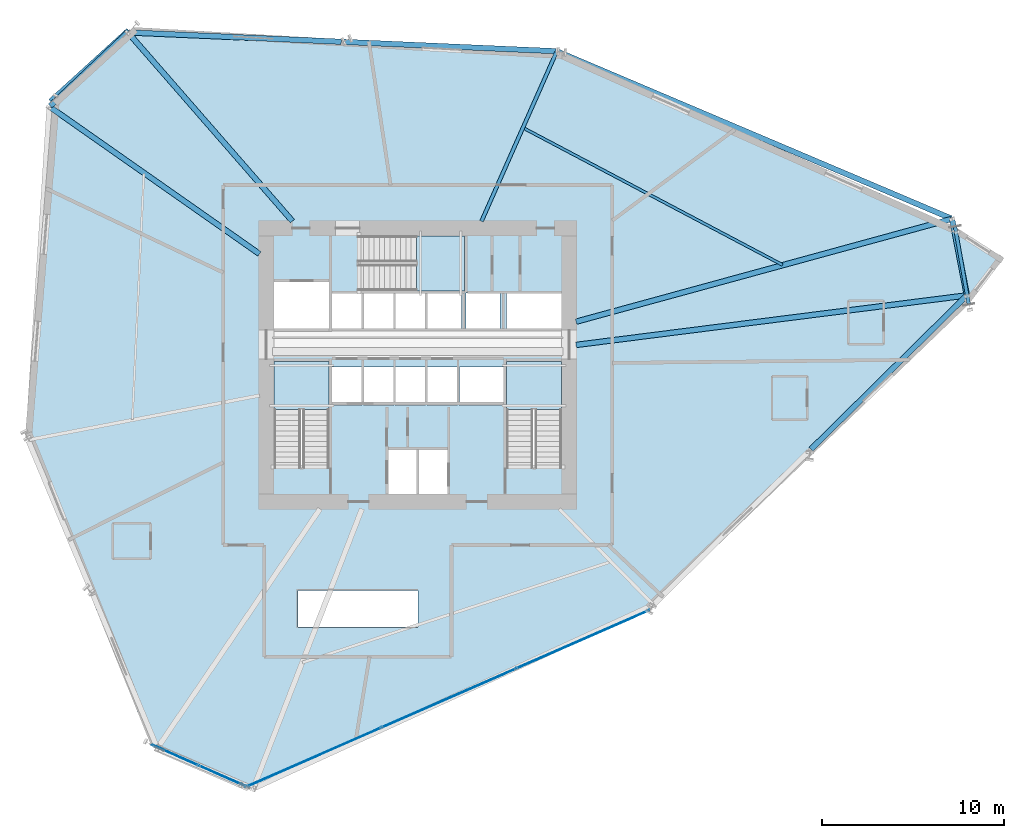
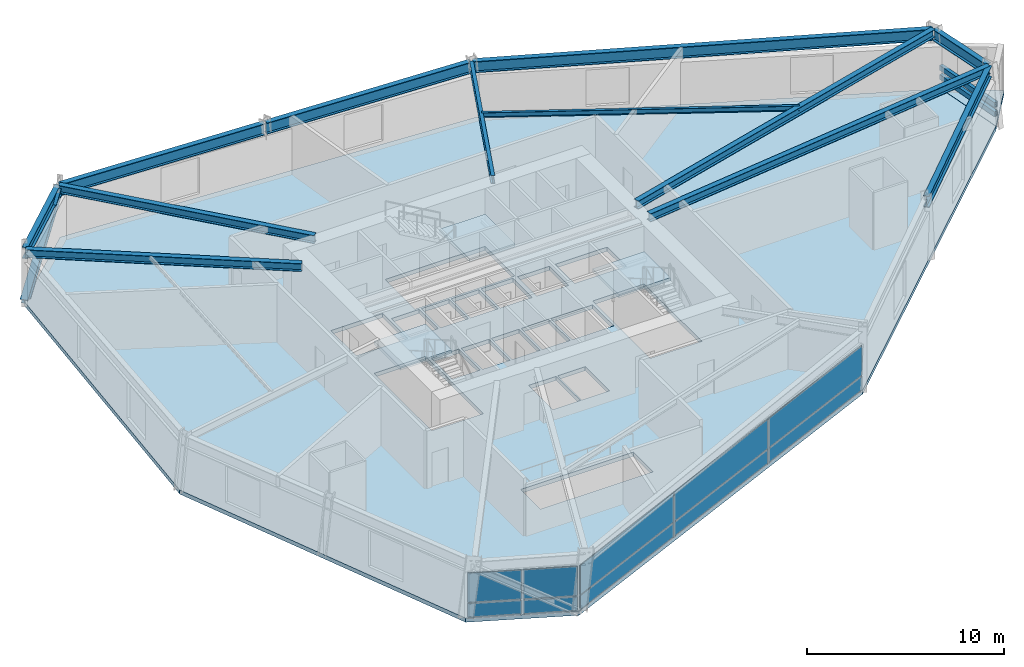
# One storey, part 9 of 17: 12 beams, 10 plates, 5 slabs, 3 members, 5 elements without a shape of their own.
"""IFC4 building model written with IfcOpenShell, lengths in metres."""

from ifc_helpers import new_model, si_unit, direction, frame, origin, origin_2d, place, context, subcontext, project, spatial, polyline, rectangle, hollow_rectangle, i_section, outline, extrude, source, transform, mapped, material, layer, layer_set, material_profile, profile_set, type_object, element, aggregate, save


model = new_model("IFC4")

# Units and contexts
model_context = context("Model", 3, precision=1e-05, world=origin(), true_north=direction((0.0, 1.0)))
body_context = subcontext(model_context, "Body", "Model", "MODEL_VIEW")
ifc_project = project(units=[si_unit("LENGTHUNIT", "METRE"), si_unit("AREAUNIT", "SQUARE_METRE"), si_unit("VOLUMEUNIT", "CUBIC_METRE"), si_unit("PLANEANGLEUNIT", "RADIAN"), si_unit("MASSUNIT", "GRAM", prefix="KILO")], contexts=[model_context])

# Site, building, storey
site_placement = place(None, origin())
site = spatial("IfcSite", under=ifc_project, at=site_placement, CompositionType="ELEMENT")
building_placement = place(site_placement, origin())
building = spatial("IfcBuilding", under=site, at=building_placement, Name="Olszyna Solenne Hotel", CompositionType="ELEMENT")
storey_placement = place(building_placement, frame((0.0, 0.0, 75.89990234375)))
storey = spatial("IfcBuildingStorey", under=building, at=storey_placement, Name="L19", CompositionType="ELEMENT", Elevation=75.89990234375)

# Beams
ifc_material_1 = material(Name="Steel S355J2", Category="steel")
ifc_material_profile_1 = material_profile(ifc_material_1, i_section(OverallWidth=0.300048828125, OverallDepth=0.699951171875, WebThickness=0.01708984375, FlangeThickness=0.031982421875, at=origin_2d()), Name="HEB 700", Category="load-bearing")
ifc_profile_set_1 = profile_set([ifc_material_profile_1], Name="Steel S355J2")
beam_type_1 = type_object("IfcBeamType", Name="BM-S1", PredefinedType="BEAM", material=ifc_profile_set_1)
shared_shape_1 = source(origin(), body_context, "Body", "SweptSolid", [
    extrude(i_section(OverallWidth=0.300048828125, OverallDepth=0.699951171875, WebThickness=0.01708984375, FlangeThickness=0.031982421875, at=origin_2d()), origin(), (0.0, 0.0, 1.0), 4.166748046875),
])
beam_1_placement = place(storey_placement, frame((68.1806640625, 30.487060546875, 3.22998046875), z_axis=(-0.189959962862, 0.981791837667, 0.0), x_axis=(-0.981791837667, -0.189959962862, 0.0)))
element("IfcBeam", 1, at=beam_1_placement, inside=storey, type_object=beam_type_1, Name="Perimeter spandrel beam BM-S1 B-L19-0576", PredefinedType="BEAM", context=body_context, shape_type="MappedRepresentation", body=[
    mapped(shared_shape_1, transform((0.0, 0.0, 0.0), x_axis=(1.0, 0.0, 0.0), y_axis=(0.0, 1.0, 0.0), z_axis=(0.0, 0.0, 1.0), scale=1.0)),
])
shared_shape_2 = source(origin(), body_context, "Body", "SweptSolid", [
    extrude(i_section(OverallWidth=0.300048828125, OverallDepth=0.699951171875, WebThickness=0.01708984375, FlangeThickness=0.031982421875, at=origin_2d()), origin(), (0.0, 0.0, 1.0), 23.4873046875),
])
beam_2_placement = place(storey_placement, frame((67.322509765625, 34.660400390625, 3.22998046875), z_axis=(-0.920640547531, 0.390411298815, 0.0), x_axis=(-0.390411298815, -0.920640547531, 0.0)))
element("IfcBeam", 2, at=beam_2_placement, inside=storey, type_object=beam_type_1, Name="Perimeter spandrel beam BM-S1 B-L19-0577", PredefinedType="BEAM", context=body_context, shape_type="MappedRepresentation", body=[
    mapped(shared_shape_2, transform((0.0, 0.0, 0.0), x_axis=(1.0, 0.0, 0.0), y_axis=(0.0, 1.0, 0.0), z_axis=(0.0, 0.0, 1.0), scale=1.0)),
])
shared_shape_3 = source(origin(), body_context, "Body", "SweptSolid", [
    extrude(i_section(OverallWidth=0.300048828125, OverallDepth=0.699951171875, WebThickness=0.01708984375, FlangeThickness=0.031982421875, at=origin_2d()), origin(), (0.0, 0.0, 1.0), 11.68359375),
])
for number, where, z_axis, x_axis, name in (
    (3, (45.583984375, 43.856201171875, 3.22998046875), (-0.999038571883, 0.043839843627, 0.0), (-0.043839843627, -0.999038571883, 0.0), "Perimeter spandrel beam BM-S1 B-L19-0578"),
    (4, (33.791748046875, 44.37353515625, 3.22998046875), (-0.999038571883, 0.043839843627, 0.0), (-0.043839843627, -0.999038571883, 0.0), "Perimeter spandrel beam BM-S1 B-L19-0579"),
):
    element("IfcBeam", number, at=place(storey_placement, frame(where, z_axis=z_axis, x_axis=x_axis)), inside=storey, type_object=beam_type_1, Name=name, PredefinedType="BEAM", context=body_context, shape_type="MappedRepresentation", body=[
        mapped(shared_shape_3, transform((0.0, 0.0, 0.0), x_axis=(1.0, 0.0, 0.0), y_axis=(0.0, 1.0, 0.0), z_axis=(0.0, 0.0, 1.0), scale=1.0)),
    ])
shared_shape_4 = source(origin(), body_context, "Body", "SweptSolid", [
    extrude(i_section(OverallWidth=0.300048828125, OverallDepth=0.699951171875, WebThickness=0.01708984375, FlangeThickness=0.031982421875, at=origin_2d()), origin(), (0.0, 0.0, 1.0), 5.821044921875),
])
beam_3_placement = place(storey_placement, frame((22.015869140625, 44.84716796875, 3.22998046875), z_axis=(-0.726544242667, -0.687119686406, 0.0), x_axis=(0.687119686406, -0.726544242667, 0.0)))
element("IfcBeam", 5, at=beam_3_placement, inside=storey, type_object=beam_type_1, Name="Perimeter spandrel beam BM-S1 B-L19-0580", PredefinedType="BEAM", context=body_context, shape_type="MappedRepresentation", body=[
    mapped(shared_shape_4, transform((0.0, 0.0, 0.0), x_axis=(1.0, 0.0, 0.0), y_axis=(0.0, 1.0, 0.0), z_axis=(0.0, 0.0, 1.0), scale=1.0)),
])
shared_shape_5 = source(origin(), body_context, "Body", "SweptSolid", [
    extrude(i_section(OverallWidth=0.300048828125, OverallDepth=0.699951171875, WebThickness=0.01708984375, FlangeThickness=0.031982421875, at=origin_2d()), origin(), (0.0, 0.0, 1.0), 11.988525390625),
])
beam_4_placement = place(storey_placement, frame((59.61669921875, 21.964599609375, 3.22998046875), z_axis=(0.711734612692, 0.702448461523, 0.0), x_axis=(-0.702448461523, 0.711734612692, 0.0)))
element("IfcBeam", 6, at=beam_4_placement, inside=storey, type_object=beam_type_1, Name="Perimeter spandrel beam BM-S1 B-L19-0587", PredefinedType="BEAM", context=body_context, shape_type="MappedRepresentation", body=[
    mapped(shared_shape_5, transform((0.0, 0.0, 0.0), x_axis=(1.0, 0.0, 0.0), y_axis=(0.0, 1.0, 0.0), z_axis=(0.0, 0.0, 1.0), scale=1.0)),
])
ifc_material_profile_2 = material_profile(ifc_material_1, i_section(OverallWidth=0.300048828125, OverallDepth=0.489990234375, WebThickness=0.011962890625, FlangeThickness=0.02294921875, at=origin_2d()), Name="HEA 500", Category="load-bearing")
ifc_profile_set_2 = profile_set([ifc_material_profile_2], Name="Steel S355J2")
beam_type_2 = type_object("IfcBeamType", Name="BM-G1", PredefinedType="BEAM", material=ifc_profile_set_2)
shared_shape_6 = source(origin(), body_context, "Body", "SweptSolid", [
    extrude(i_section(OverallWidth=0.300048828125, OverallDepth=0.489990234375, WebThickness=0.011962890625, FlangeThickness=0.02294921875, at=origin_2d()), origin(), (0.0, 0.0, 1.0), 21.603759765625),
])
beam_5_placement = place(storey_placement, frame((68.132568359375, 30.420654296875, 3.335205078125), z_axis=(-0.992056913755, -0.125789824198, 0.0), x_axis=(0.125789824198, -0.992056913755, 0.0)))
element("IfcBeam", 7, at=beam_5_placement, inside=storey, type_object=beam_type_2, Name="Radial floor girder BM-G1 B-L19-0588", PredefinedType="BEAM", context=body_context, shape_type="MappedRepresentation", body=[
    mapped(shared_shape_6, transform((0.0, 0.0, 0.0), x_axis=(1.0, 0.0, 0.0), y_axis=(0.0, 1.0, 0.0), z_axis=(0.0, 0.0, 1.0), scale=1.0)),
])
shared_shape_7 = source(origin(), body_context, "Body", "SweptSolid", [
    extrude(i_section(OverallWidth=0.300048828125, OverallDepth=0.489990234375, WebThickness=0.011962890625, FlangeThickness=0.02294921875, at=origin_2d()), origin(), (0.0, 0.0, 1.0), 21.37548828125),
])
beam_6_placement = place(storey_placement, frame((67.31982421875, 34.62109375, 3.335205078125), z_axis=(-0.964557939559, -0.263871145133, 0.0), x_axis=(0.263871145133, -0.964557939559, 0.0)))
element("IfcBeam", 8, at=beam_6_placement, inside=storey, type_object=beam_type_2, Name="Radial floor girder BM-G1 B-L19-0589", PredefinedType="BEAM", context=body_context, shape_type="MappedRepresentation", body=[
    mapped(shared_shape_7, transform((0.0, 0.0, 0.0), x_axis=(1.0, 0.0, 0.0), y_axis=(0.0, 1.0, 0.0), z_axis=(0.0, 0.0, 1.0), scale=1.0)),
])
ifc_material_profile_3 = material_profile(ifc_material_1, i_section(OverallWidth=0.199951171875, OverallDepth=0.5, WebThickness=0.01025390625, FlangeThickness=0.01611328125, at=origin_2d()), Name="IPE 500", Category="load-bearing")
ifc_profile_set_3 = profile_set([ifc_material_profile_3], Name="Steel S355J2")
beam_type_3 = type_object("IfcBeamType", Name="BM-F3", PredefinedType="BEAM", material=ifc_profile_set_3)
shared_shape_8 = source(origin(), body_context, "Body", "SweptSolid", [
    extrude(i_section(OverallWidth=0.199951171875, OverallDepth=0.5, WebThickness=0.01025390625, FlangeThickness=0.01611328125, at=origin_2d()), origin(), (0.0, 0.0, 1.0), 10.16552734375),
])
beam_7_placement = place(storey_placement, frame((45.61962890625, 43.798583984375, 3.330078125), z_axis=(-0.405064123158, -0.91428827846, 0.0), x_axis=(0.91428827846, -0.405064123158, 0.0)))
element("IfcBeam", 9, at=beam_7_placement, inside=storey, type_object=beam_type_3, Name="Radial floor girder BM-F3 B-L19-0590", PredefinedType="BEAM", context=body_context, shape_type="MappedRepresentation", body=[
    mapped(shared_shape_8, transform((0.0, 0.0, 0.0), x_axis=(1.0, 0.0, 0.0), y_axis=(0.0, 1.0, 0.0), z_axis=(0.0, 0.0, 1.0), scale=1.0)),
])
shared_shape_9 = source(origin(), body_context, "Body", "SweptSolid", [
    extrude(i_section(OverallWidth=0.300048828125, OverallDepth=0.489990234375, WebThickness=0.011962890625, FlangeThickness=0.02294921875, at=origin_2d()), origin(), (0.0, 0.0, 1.0), 13.70458984375),
])
beam_8_placement = place(storey_placement, frame((22.098876953125, 44.84326171875, 3.335205078125), z_axis=(0.657055520226, -0.753842187292, 0.0), x_axis=(0.753842187292, 0.657055520226, 0.0)))
element("IfcBeam", 10, at=beam_8_placement, inside=storey, type_object=beam_type_2, Name="Radial floor girder BM-G1 B-L19-0591", PredefinedType="BEAM", context=body_context, shape_type="MappedRepresentation", body=[
    mapped(shared_shape_9, transform((0.0, 0.0, 0.0), x_axis=(1.0, 0.0, 0.0), y_axis=(0.0, 1.0, 0.0), z_axis=(0.0, 0.0, 1.0), scale=1.0)),
])
shared_shape_10 = source(origin(), body_context, "Body", "SweptSolid", [
    extrude(i_section(OverallWidth=0.300048828125, OverallDepth=0.489990234375, WebThickness=0.011962890625, FlangeThickness=0.02294921875, at=origin_2d()), origin(), (0.0, 0.0, 1.0), 14.044677734375),
])
beam_9_placement = place(storey_placement, frame((17.7919921875, 40.771484375, 3.335205078125), z_axis=(0.81874162947, -0.574162123596, 0.0), x_axis=(0.574162123596, 0.81874162947, 0.0)))
element("IfcBeam", 11, at=beam_9_placement, inside=storey, type_object=beam_type_2, Name="Radial floor girder BM-G1 B-L19-0592", PredefinedType="BEAM", context=body_context, shape_type="MappedRepresentation", body=[
    mapped(shared_shape_10, transform((0.0, 0.0, 0.0), x_axis=(1.0, 0.0, 0.0), y_axis=(0.0, 1.0, 0.0), z_axis=(0.0, 0.0, 1.0), scale=1.0)),
])
ifc_material_profile_4 = material_profile(ifc_material_1, i_section(OverallWidth=0.14990234375, OverallDepth=0.300048828125, WebThickness=0.007080078125, FlangeThickness=0.0107421875, at=origin_2d()), Name="IPE 300", Category="load-bearing")
ifc_profile_set_4 = profile_set([ifc_material_profile_4], Name="Steel S355J2")
beam_type_4 = type_object("IfcBeamType", Name="JS-02", PredefinedType="JOIST", material=ifc_profile_set_4)
shared_shape_11 = source(origin(), body_context, "Body", "SweptSolid", [
    extrude(i_section(OverallWidth=0.14990234375, OverallDepth=0.300048828125, WebThickness=0.007080078125, FlangeThickness=0.0107421875, at=origin_2d()), origin(), (0.0, 0.0, 1.0), 16.127197265625),
])
beam_10_placement = place(storey_placement, frame((58.055908203125, 32.100830078125, 3.43017578125), z_axis=(-0.884095565727, 0.467306142333, 0.0), x_axis=(-0.467306142333, -0.884095565727, 0.0)))
element("IfcBeam", 12, at=beam_10_placement, inside=storey, type_object=beam_type_4, Name="Secondary composite floor joist JS-02 B-L19-0597", PredefinedType="JOIST", context=body_context, shape_type="MappedRepresentation", body=[
    mapped(shared_shape_11, transform((0.0, 0.0, 0.0), x_axis=(1.0, 0.0, 0.0), y_axis=(0.0, 1.0, 0.0), z_axis=(0.0, 0.0, 1.0), scale=1.0)),
])

# Members
ifc_material_profile_5 = material_profile(ifc_material_1, hollow_rectangle(XDim=0.199951171875, YDim=0.300048828125, WallThickness=0.01611328125, at=origin_2d()), Name="RHS 300x200x16", Category="load-bearing")
ifc_profile_set_5 = profile_set([ifc_material_profile_5], Name="Steel S355J2")
member_type_1 = type_object("IfcMemberType", Name="CH-PR1", PredefinedType="CHORD", material=ifc_profile_set_5)
shared_shape_12 = source(origin(), body_context, "Body", "SweptSolid", [
    extrude(hollow_rectangle(XDim=0.199951171875, YDim=0.300048828125, WallThickness=0.01611328125, at=origin_2d()), origin(), (0.0, 0.0, 1.0), 4.324951171875),
])
for number, where, z_axis, x_axis, name in (
    (13, (68.29541015625, 29.94287109375, 1.35009765625), (-0.174542047706, 0.984649721263, 0.0), (-0.984649721263, -0.174542047706, 0.0), "Glass-prism tie chord CH-PR1 M-L19-PR1"),
    (14, (68.29541015625, 29.94287109375, 0.780029296875), (-0.174542047706, 0.984649721263, 0.0), (-0.984649721263, -0.174542047706, 0.0), "Glass-prism tie chord CH-PR1 M-L19-PR2"),
):
    element("IfcMember", number, at=place(storey_placement, frame(where, z_axis=z_axis, x_axis=x_axis)), inside=storey, type_object=member_type_1, Name=name, PredefinedType="CHORD", context=body_context, shape_type="MappedRepresentation", body=[
        mapped(shared_shape_12, transform((0.0, 0.0, 0.0), x_axis=(1.0, 0.0, 0.0), y_axis=(0.0, 1.0, 0.0), z_axis=(0.0, 0.0, 1.0), scale=1.0)),
    ])
ifc_material_2 = material(Name="Steel S460M", Category="steel")
ifc_material_profile_6 = material_profile(ifc_material_2, i_section(OverallWidth=0.412109375, OverallDepth=0.43505859375, WebThickness=0.031494140625, FlangeThickness=0.050048828125, at=origin_2d()), Name="HD 400x463", Category="load-bearing")
ifc_profile_set_6 = profile_set([ifc_material_profile_6], Name="Steel S460M")
member_type_2 = type_object("IfcMemberType", Name="BR-T1", PredefinedType="BRACE", material=ifc_profile_set_6)
shared_shape_13 = source(origin(), body_context, "Body", "SweptSolid", [
    extrude(i_section(OverallWidth=0.412109375, OverallDepth=0.43505859375, WebThickness=0.031494140625, FlangeThickness=0.050048828125, at=origin_2d()), origin(), (0.0, 0.0, 1.0), 6.435302734375),
])
member_placement = place(storey_placement, frame((17.923583984375, 41.124755859375, 0.010009765625), z_axis=(0.64265647035, 0.584840150349, 0.494928944049), x_axis=(-0.673055169439, 0.739592278821, 0.0)))
element("IfcMember", 15, at=member_placement, inside=storey, type_object=member_type_2, Name="Perimeter braced-tube diagonal BR-T1 BR-L19-2", PredefinedType="BRACE", context=body_context, shape_type="MappedRepresentation", body=[
    mapped(shared_shape_13, transform((0.0, 0.0, 0.0), x_axis=(1.0, 0.0, 0.0), y_axis=(0.0, 1.0, 0.0), z_axis=(0.0, 0.0, 1.0), scale=1.0)),
])

# Stair, slab
ifc_material_3 = material(Name="Concrete C40/50", Category="concrete")
stair_type = type_object("IfcStairType", Name="STR-C1", PredefinedType="TWO_QUARTER_WINDING_STAIR", material=ifc_material_3)
stair_1_placement = place(storey_placement, origin())
stair_1 = element("IfcStair", 16, at=stair_1_placement, inside=storey, type_object=stair_type, Name="L19 ST1", PredefinedType="TWO_QUARTER_WINDING_STAIR")
ifc_layer_1 = layer(ifc_material_3, 0.18994140625, Name="Concrete C40/50")
ifc_layer_set_1 = layer_set([ifc_layer_1], Name="Concrete C40/50")
slab_type_1 = type_object("IfcSlabType", Name="SL-LN190", PredefinedType="LANDING", material=ifc_layer_set_1)
slab_1_placement = place(storey_placement, frame((0.0, 0.0, 1.800048828125)))
slab_1 = element("IfcSlab", 17, at=slab_1_placement, type_object=slab_type_1, Name="ST1 landing 1", PredefinedType="LANDING", context=body_context, shape_type="SweptSolid", body=[
    extrude(outline(polyline([(33.1201171875, 24.139892578125), (33.1201171875, 26.800048828125), (30.10009765625, 26.800048828125), (30.10009765625, 24.139892578125), (33.1201171875, 24.139892578125)])), origin(), (0.0, 0.0, 1.0), 0.199951171875),
])
aggregate(stair_1, [slab_1])

stair_2_placement = place(storey_placement, origin())
stair_2 = element("IfcStair", 18, at=stair_2_placement, inside=storey, type_object=stair_type, Name="L19 ST2", PredefinedType="TWO_QUARTER_WINDING_STAIR")
slab_2_placement = place(storey_placement, frame((0.0, 0.0, 1.800048828125)))
slab_2 = element("IfcSlab", 19, at=slab_2_placement, type_object=slab_type_1, Name="ST2 landing 1", PredefinedType="LANDING", context=body_context, shape_type="SweptSolid", body=[
    extrude(outline(polyline([(45.89990234375, 24.139892578125), (45.89990234375, 26.800048828125), (42.8798828125, 26.800048828125), (42.8798828125, 24.139892578125), (45.89990234375, 24.139892578125)])), origin(), (0.0, 0.0, 1.0), 0.199951171875),
])
aggregate(stair_2, [slab_2])

stair_3_placement = place(storey_placement, origin())
stair_3 = element("IfcStair", 20, at=stair_3_placement, inside=storey, type_object=stair_type, Name="L19 ST3", PredefinedType="TWO_QUARTER_WINDING_STAIR")
slab_3_placement = place(storey_placement, frame((0.0, 0.0, 1.800048828125)))
slab_3 = element("IfcSlab", 21, at=slab_3_placement, type_object=slab_type_1, Name="ST3 landing 1", PredefinedType="LANDING", context=body_context, shape_type="SweptSolid", body=[
    extrude(outline(polyline([(37.919921875, 30.679931640625), (40.580078125, 30.679931640625), (40.580078125, 33.699951171875), (37.919921875, 33.699951171875), (37.919921875, 30.679931640625)])), origin(), (0.0, 0.0, 1.0), 0.199951171875),
])
aggregate(stair_3, [slab_3])

# Slabs
ifc_material_4 = material(Name="Concrete C50/60", Category="concrete")
ifc_layer_2 = layer(ifc_material_4, 0.25, Name="Concrete C50/60")
ifc_layer_set_2 = layer_set([ifc_layer_2], Name="Concrete C50/60")
slab_type_2 = type_object("IfcSlabType", Name="SL-TW250", PredefinedType="FLOOR", material=ifc_layer_set_2)
slab_4_placement = place(storey_placement, frame((0.0, 0.0, -0.25)))
element("IfcSlab", 22, at=slab_4_placement, inside=storey, type_object=slab_type_2, Name="Floor slab SL-TW250 SL-L19-01", PredefinedType="FLOOR", context=body_context, shape_type="SweptSolid", body=[
    extrude(outline(polyline([(68.29541015625, 29.94287109375), (67.54052734375, 34.201416015625), (45.943115234375, 43.81298828125), (22.343017578125, 45.174560546875), (17.923583984375, 41.124755859375), (16.419189453125, 22.79541015625), (23.30712890625, 5.7431640625), (28.59033203125, 3.4130859375), (50.801025390625, 13.148681640625), (68.29541015625, 29.94287109375)]), holes=[polyline([(30.10009765625, 20.949951171875), (33.1201171875, 20.949951171875), (33.1201171875, 26.800048828125), (30.10009765625, 26.800048828125), (30.10009765625, 20.949951171875)]), polyline([(42.8798828125, 20.949951171875), (45.89990234375, 20.949951171875), (45.89990234375, 26.800048828125), (42.8798828125, 26.800048828125), (42.8798828125, 20.949951171875)]), polyline([(34.72998046875, 30.679931640625), (40.580078125, 30.679931640625), (40.580078125, 33.699951171875), (34.72998046875, 33.699951171875), (34.72998046875, 30.679931640625)]), polyline([(36.340087890625, 19.5), (37.9599609375, 19.5), (37.9599609375, 21.9599609375), (36.340087890625, 21.9599609375), (36.340087890625, 19.5)]), polyline([(38.0400390625, 19.5), (39.659912109375, 19.5), (39.659912109375, 21.9599609375), (38.0400390625, 21.9599609375), (38.0400390625, 19.5)]), polyline([(30.10009765625, 28.60009765625), (33.1201171875, 28.60009765625), (33.1201171875, 31.159912109375), (30.10009765625, 31.159912109375), (30.10009765625, 28.60009765625)]), polyline([(33.280029296875, 24.360107421875), (34.89990234375, 24.360107421875), (34.89990234375, 26.5), (33.280029296875, 26.5), (33.280029296875, 24.360107421875)]), polyline([(35.030029296875, 24.360107421875), (36.64990234375, 24.360107421875), (36.64990234375, 26.5), (35.030029296875, 26.5), (35.030029296875, 24.360107421875)]), polyline([(36.780029296875, 24.360107421875), (38.39990234375, 24.360107421875), (38.39990234375, 26.5), (36.780029296875, 26.5), (36.780029296875, 24.360107421875)]), polyline([(38.530029296875, 24.360107421875), (40.14990234375, 24.360107421875), (40.14990234375, 26.5), (38.530029296875, 26.5), (38.530029296875, 24.360107421875)]), polyline([(40.280029296875, 24.360107421875), (42.719970703125, 24.360107421875), (42.719970703125, 26.5), (40.280029296875, 26.5), (40.280029296875, 24.360107421875)]), polyline([(33.280029296875, 28.60009765625), (34.89990234375, 28.60009765625), (34.89990234375, 30.550048828125), (33.280029296875, 30.550048828125), (33.280029296875, 28.60009765625)]), polyline([(35.030029296875, 28.60009765625), (36.64990234375, 28.60009765625), (36.64990234375, 30.550048828125), (35.030029296875, 30.550048828125), (35.030029296875, 28.60009765625)]), polyline([(36.780029296875, 28.60009765625), (38.39990234375, 28.60009765625), (38.39990234375, 30.550048828125), (36.780029296875, 30.550048828125), (36.780029296875, 28.60009765625)]), polyline([(38.530029296875, 28.60009765625), (40.389892578125, 28.60009765625), (40.389892578125, 30.550048828125), (38.530029296875, 30.550048828125), (38.530029296875, 28.60009765625)]), polyline([(40.659912109375, 28.60009765625), (42.52001953125, 28.60009765625), (42.52001953125, 30.550048828125), (40.659912109375, 30.550048828125), (40.659912109375, 28.60009765625)]), polyline([(42.8798828125, 28.60009765625), (45.89990234375, 28.60009765625), (45.89990234375, 30.550048828125), (42.8798828125, 30.550048828125), (42.8798828125, 28.60009765625)]), polyline([(31.39990234375, 12.199951171875), (38.0, 12.199951171875), (38.0, 14.199951171875), (31.39990234375, 14.199951171875), (31.39990234375, 12.199951171875)])]), origin(), (0.0, 0.0, 1.0), 0.25),
])
slab_5_placement = place(storey_placement, frame((0.0, 0.0, -0.25)))
element("IfcSlab", 23, at=slab_5_placement, inside=storey, type_object=slab_type_2, Name="Faceted glass-prism floor slab SL-L19-PR", PredefinedType="FLOOR", context=body_context, shape_type="SweptSolid", body=[
    extrude(outline(polyline([(67.552001953125, 34.194091796875), (68.303466796875, 29.95361328125), (70.231689453125, 32.482421875), (67.552001953125, 34.194091796875)])), origin(), (0.0, 0.0, 1.0), 0.25),
])

# Curtain wall, plates
ifc_material_5 = material(Name="Anodised bronze aluminium", Category="aluminium")
curtain_wall_type = type_object("IfcCurtainWallType", Name="CW-SYS-6", PredefinedType="NOTDEFINED", material=ifc_material_5)
curtain_wall_1_placement = place(storey_placement, origin())
curtain_wall_1 = element("IfcCurtainWall", 24, at=curtain_wall_1_placement, inside=storey, type_object=curtain_wall_type, Name="Unitised curtain wall CW-SYS-6 CW-L19-01", PredefinedType="NOTDEFINED")
ifc_material_6 = material(Name="Terracotta cladding", Category="masonry")
plate_type_1 = type_object("IfcPlateType", Name="PN-SP1", PredefinedType="CURTAIN_PANEL", material=ifc_material_6)
shared_shape_14 = source(origin(), body_context, "Body", "SweptSolid", [
    extrude(rectangle(XDim=7.963623046875, YDim=0.048095703125, at=origin_2d()), origin(), (0.0, 0.0, 1.0), 0.83740234375),
])
plate_1_placement = place(storey_placement, frame((32.310302734375, 5.043701171875, 0.0751953125), z_axis=(0.0, 0.0, 1.0), x_axis=(0.91588124205, 0.401449312443, 0.0)))
plate_1 = element("IfcPlate", 25, at=plate_1_placement, type_object=plate_type_1, Name="Curtain-wall panel PN-SP1 CP-L19-01-01", PredefinedType="CURTAIN_PANEL", context=body_context, shape_type="MappedRepresentation", body=[
    mapped(shared_shape_14, transform((0.0, 0.0, 0.0), x_axis=(1.0, 0.0, 0.0), y_axis=(0.0, 1.0, 0.0), z_axis=(0.0, 0.0, 1.0), scale=1.0)),
])
plate_2_placement = place(storey_placement, frame((47.080810546875, 11.51806640625, 0.0751953125), z_axis=(0.0, 0.0, 1.0), x_axis=(0.91588124205, 0.401449312443, 0.0)))
plate_2 = element("IfcPlate", 26, at=plate_2_placement, type_object=plate_type_1, Name="Curtain-wall panel PN-SP1 CP-L19-01-05", PredefinedType="CURTAIN_PANEL", context=body_context, shape_type="MappedRepresentation", body=[
    mapped(shared_shape_14, transform((0.0, 0.0, 0.0), x_axis=(1.0, 0.0, 0.0), y_axis=(0.0, 1.0, 0.0), z_axis=(0.0, 0.0, 1.0), scale=1.0)),
])
ifc_material_7 = material(Name="Low-E triple glazing", Category="glass")
plate_type_2 = type_object("IfcPlateType", Name="PN-GL2", PredefinedType="CURTAIN_PANEL", material=ifc_material_7)
shared_shape_15 = source(origin(), body_context, "Body", "SweptSolid", [
    extrude(rectangle(XDim=7.963623046875, YDim=0.048095703125, at=origin_2d()), origin(), (0.0, 0.0, 1.0), 1.8095703125),
])
plate_3_placement = place(storey_placement, frame((32.310302734375, 5.043701171875, 0.987548828125), z_axis=(0.0, 0.0, 1.0), x_axis=(0.91588124205, 0.401449312443, 0.0)))
plate_3 = element("IfcPlate", 27, at=plate_3_placement, type_object=plate_type_2, Name="Curtain-wall panel PN-GL2 CP-L19-01-02", PredefinedType="CURTAIN_PANEL", context=body_context, shape_type="MappedRepresentation", body=[
    mapped(shared_shape_15, transform((0.0, 0.0, 0.0), x_axis=(1.0, 0.0, 0.0), y_axis=(0.0, 1.0, 0.0), z_axis=(0.0, 0.0, 1.0), scale=1.0)),
])
plate_4_placement = place(storey_placement, frame((47.080810546875, 11.51806640625, 0.987548828125), z_axis=(0.0, 0.0, 1.0), x_axis=(0.91588124205, 0.401449312443, 0.0)))
plate_4 = element("IfcPlate", 28, at=plate_4_placement, type_object=plate_type_2, Name="Curtain-wall panel PN-GL2 CP-L19-01-06", PredefinedType="CURTAIN_PANEL", context=body_context, shape_type="MappedRepresentation", body=[
    mapped(shared_shape_15, transform((0.0, 0.0, 0.0), x_axis=(1.0, 0.0, 0.0), y_axis=(0.0, 1.0, 0.0), z_axis=(0.0, 0.0, 1.0), scale=1.0)),
])
shared_shape_16 = source(origin(), body_context, "Body", "SweptSolid", [
    extrude(rectangle(XDim=8.003662109375, YDim=0.048095703125, at=origin_2d()), origin(), (0.0, 0.0, 1.0), 0.83740234375),
])
plate_5_placement = place(storey_placement, frame((39.695556640625, 8.281005859375, 0.0751953125), z_axis=(0.0, 0.0, 1.0), x_axis=(0.91588124205, 0.401449312443, 0.0)))
plate_5 = element("IfcPlate", 29, at=plate_5_placement, type_object=plate_type_1, Name="Curtain-wall panel PN-SP1 CP-L19-01-03", PredefinedType="CURTAIN_PANEL", context=body_context, shape_type="MappedRepresentation", body=[
    mapped(shared_shape_16, transform((0.0, 0.0, 0.0), x_axis=(1.0, 0.0, 0.0), y_axis=(0.0, 1.0, 0.0), z_axis=(0.0, 0.0, 1.0), scale=1.0)),
])
shared_shape_17 = source(origin(), body_context, "Body", "SweptSolid", [
    extrude(rectangle(XDim=8.003662109375, YDim=0.048095703125, at=origin_2d()), origin(), (0.0, 0.0, 1.0), 1.8095703125),
])
plate_6_placement = place(storey_placement, frame((39.695556640625, 8.281005859375, 0.987548828125), z_axis=(0.0, 0.0, 1.0), x_axis=(0.91588124205, 0.401449312443, 0.0)))
plate_6 = element("IfcPlate", 30, at=plate_6_placement, type_object=plate_type_2, Name="Curtain-wall panel PN-GL2 CP-L19-01-04", PredefinedType="CURTAIN_PANEL", context=body_context, shape_type="MappedRepresentation", body=[
    mapped(shared_shape_17, transform((0.0, 0.0, 0.0), x_axis=(1.0, 0.0, 0.0), y_axis=(0.0, 1.0, 0.0), z_axis=(0.0, 0.0, 1.0), scale=1.0)),
])
aggregate(curtain_wall_1, [plate_1, plate_3, plate_5, plate_6, plate_2, plate_4])

curtain_wall_2_placement = place(storey_placement, origin())
curtain_wall_2 = element("IfcCurtainWall", 31, at=curtain_wall_2_placement, inside=storey, type_object=curtain_wall_type, Name="Unitised curtain wall CW-SYS-6 CW-L19-02", PredefinedType="NOTDEFINED")
shared_shape_18 = source(origin(), body_context, "Body", "SweptSolid", [
    extrude(rectangle(XDim=2.76708984375, YDim=0.048095703125, at=origin_2d()), origin(), (0.0, 0.0, 1.0), 0.83740234375),
])
plate_7_placement = place(storey_placement, frame((24.646240234375, 5.152587890625, 0.0751953125), z_axis=(0.0, 0.0, 1.0), x_axis=(0.914967644046, -0.40352721141, 0.0)))
plate_7 = element("IfcPlate", 32, at=plate_7_placement, type_object=plate_type_1, Name="Curtain-wall panel PN-SP1 CP-L19-02-01", PredefinedType="CURTAIN_PANEL", context=body_context, shape_type="MappedRepresentation", body=[
    mapped(shared_shape_18, transform((0.0, 0.0, 0.0), x_axis=(1.0, 0.0, 0.0), y_axis=(0.0, 1.0, 0.0), z_axis=(0.0, 0.0, 1.0), scale=1.0)),
])
plate_8_placement = place(storey_placement, frame((27.251220703125, 4.003662109375, 0.0751953125), z_axis=(0.0, 0.0, 1.0), x_axis=(0.914967644046, -0.40352721141, 0.0)))
plate_8 = element("IfcPlate", 33, at=plate_8_placement, type_object=plate_type_1, Name="Curtain-wall panel PN-SP1 CP-L19-02-03", PredefinedType="CURTAIN_PANEL", context=body_context, shape_type="MappedRepresentation", body=[
    mapped(shared_shape_18, transform((0.0, 0.0, 0.0), x_axis=(1.0, 0.0, 0.0), y_axis=(0.0, 1.0, 0.0), z_axis=(0.0, 0.0, 1.0), scale=1.0)),
])
shared_shape_19 = source(origin(), body_context, "Body", "SweptSolid", [
    extrude(rectangle(XDim=2.76708984375, YDim=0.048095703125, at=origin_2d()), origin(), (0.0, 0.0, 1.0), 1.8095703125),
])
plate_9_placement = place(storey_placement, frame((24.646240234375, 5.152587890625, 0.987548828125), z_axis=(0.0, 0.0, 1.0), x_axis=(0.914967644046, -0.40352721141, 0.0)))
plate_9 = element("IfcPlate", 34, at=plate_9_placement, type_object=plate_type_2, Name="Curtain-wall panel PN-GL2 CP-L19-02-02", PredefinedType="CURTAIN_PANEL", context=body_context, shape_type="MappedRepresentation", body=[
    mapped(shared_shape_19, transform((0.0, 0.0, 0.0), x_axis=(1.0, 0.0, 0.0), y_axis=(0.0, 1.0, 0.0), z_axis=(0.0, 0.0, 1.0), scale=1.0)),
])
plate_10_placement = place(storey_placement, frame((27.251220703125, 4.003662109375, 0.987548828125), z_axis=(0.0, 0.0, 1.0), x_axis=(0.914967644046, -0.40352721141, 0.0)))
plate_10 = element("IfcPlate", 35, at=plate_10_placement, type_object=plate_type_2, Name="Curtain-wall panel PN-GL2 CP-L19-02-04", PredefinedType="CURTAIN_PANEL", context=body_context, shape_type="MappedRepresentation", body=[
    mapped(shared_shape_19, transform((0.0, 0.0, 0.0), x_axis=(1.0, 0.0, 0.0), y_axis=(0.0, 1.0, 0.0), z_axis=(0.0, 0.0, 1.0), scale=1.0)),
])
aggregate(curtain_wall_2, [plate_7, plate_9, plate_8, plate_10])

save(model, "model.ifc")
